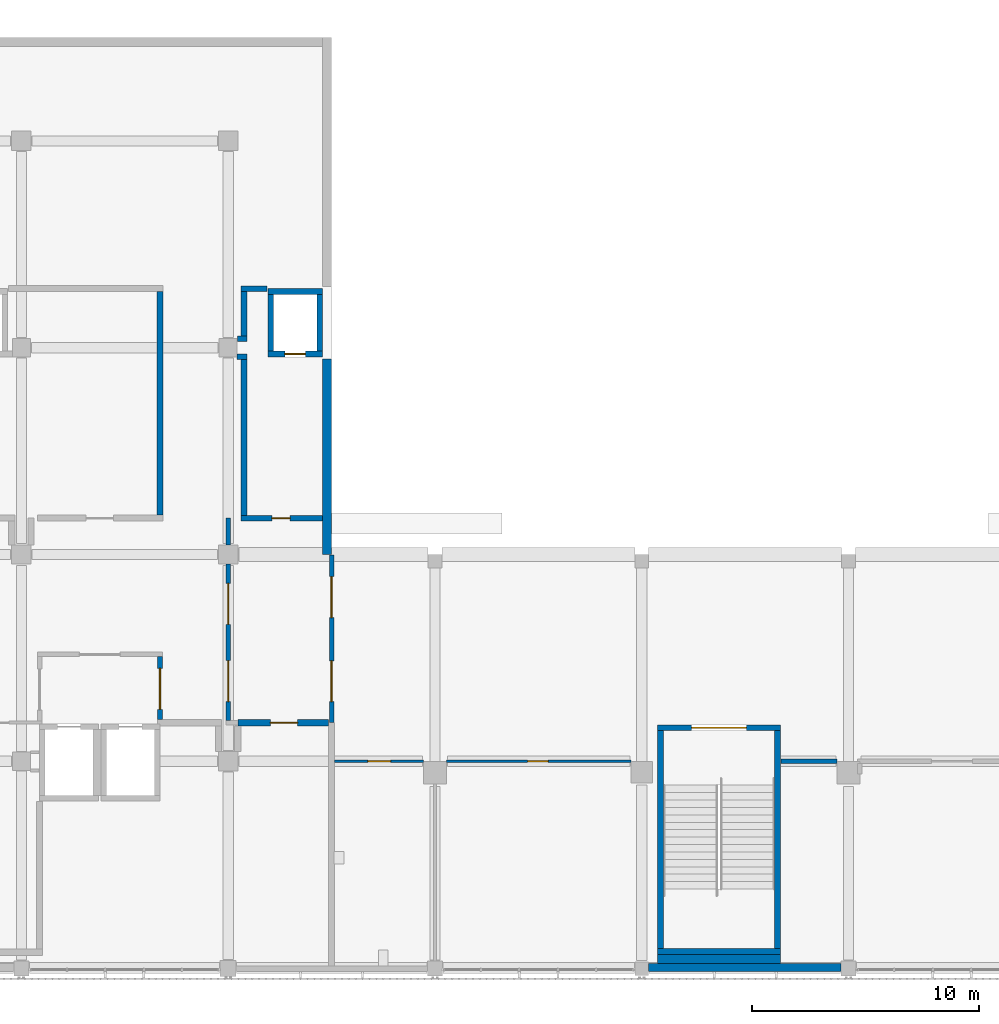
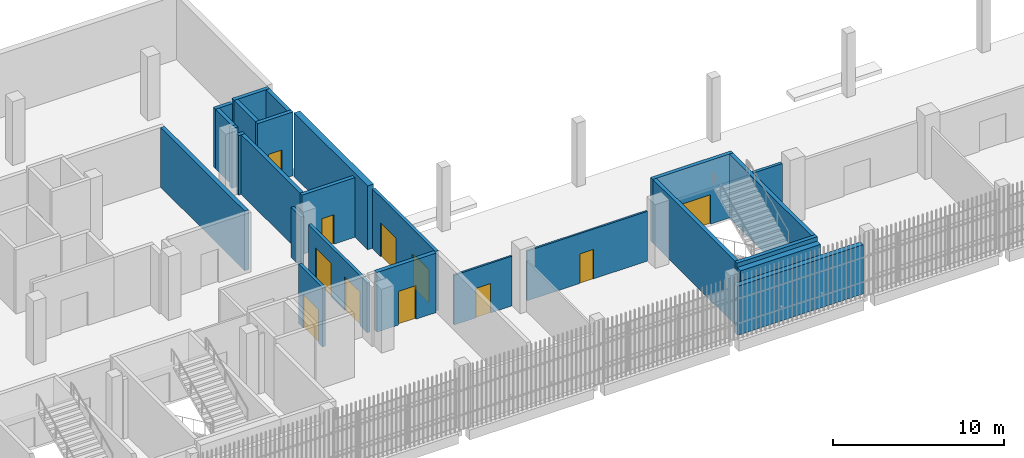
# One storey, part 75 of 126: 26 walls, 11 doors, 11 openings.
"""IFC4 building model written with IfcOpenShell, lengths in metres."""

from ifc_helpers import new_model, si_unit, direction, frame, frame_2d, origin, place, context, subcontext, project, spatial, rectangle, extrude, material, layer, layer_set, type_object, element, fill, save


model = new_model("IFC4")

# Units and contexts
model_context = context("Model", 3, precision=1e-05, world=origin(), true_north=direction((0.0, 1.0)))
body_context = subcontext(model_context, "Body", "Model", "MODEL_VIEW")
ifc_project = project(units=[si_unit("LENGTHUNIT", "METRE"), si_unit("AREAUNIT", "SQUARE_METRE"), si_unit("VOLUMEUNIT", "CUBIC_METRE"), si_unit("PLANEANGLEUNIT", "RADIAN"), si_unit("MASSUNIT", "GRAM", prefix="KILO")], contexts=[model_context])

# Site, building, storey
site_placement = place(None, origin())
site = spatial("IfcSite", under=ifc_project, at=site_placement, CompositionType="ELEMENT")
building_placement = place(site_placement, origin())
building = spatial("IfcBuilding", under=site, at=building_placement, Name="Shirokan Park Arena", CompositionType="ELEMENT")
storey_placement = place(building_placement, frame((0.0, 0.0, 6.3701171875)))
storey = spatial("IfcBuildingStorey", under=building, at=storey_placement, Name="L01", CompositionType="ELEMENT", Elevation=6.3701171875)

# Wall
ifc_material_1 = material(Name="Plaster")
ifc_layer_1 = layer(ifc_material_1, 0.014892578125, Name="Plaster")
ifc_material_2 = material(Name="Concrete blockwork", Category="masonry")
ifc_layer_2 = layer(ifc_material_2, 0.219970703125, Name="Concrete blockwork 220")
ifc_layer_3 = layer(ifc_material_1, 0.014892578125, Name="Plaster")
ifc_layer_set_1 = layer_set([ifc_layer_1, ifc_layer_2, ifc_layer_3], Name="Plaster + Concrete blockwork 220")
wall_type_1 = type_object("IfcWallType", Name="Compartment wall 250", PredefinedType="SOLIDWALL", material=ifc_layer_set_1)
wall_1_placement = place(storey_placement, frame((36.800048828125, 26.89990234375, 0.0), z_axis=(0.0, 0.0, 1.0), x_axis=(1.0, 0.0, 0.0)))
element("IfcWall", 1, at=wall_1_placement, inside=storey, type_object=wall_type_1, Name="Compartment wall 250 L01", PredefinedType="SOLIDWALL", context=body_context, shape_type="SweptSolid", body=[
    extrude(rectangle(XDim=0.425048828125, YDim=0.25, at=frame_2d((0.21240234375, 0.0))), origin(), (0.0, 0.0, 1.0), 4.25),
])

# Wall, opening, door
wall_2_placement = place(storey_placement, frame((36.97509765625, 19.800048828125, 0.0), z_axis=(0.0, 0.0, 1.0), x_axis=(1.0, 0.0, 0.0)))
wall_2 = element("IfcWall", 2, at=wall_2_placement, inside=storey, type_object=wall_type_1, Name="Compartment wall 250 L01", PredefinedType="SOLIDWALL", context=body_context, shape_type="SweptSolid", body=[
    extrude(rectangle(XDim=3.574951171875, YDim=0.25, at=frame_2d((1.78759765625, 0.0))), origin(), (0.0, 0.0, 1.0), 4.25),
])
opening_1_placement = place(wall_2_placement, frame((1.35009765625, 0.0, 0.0)))
opening_1 = element("IfcOpeningElement", 3, at=opening_1_placement, cuts=wall_2, Name="Opening D-1003", PredefinedType="OPENING", context=body_context, shape_type="SweptSolid", body=[
    extrude(rectangle(XDim=0.800048828125, YDim=2.10009765625, at=frame_2d((0.39990234375, 1.050048828125))), frame((0.0, 0.135009765625, 0.0), z_axis=(0.0, -1.0, 0.0), x_axis=(1.0, 0.0, 0.0)), (0.0, 0.0, 1.0), 0.27001953125),
])
ifc_material_3 = material(Name="Timber door set, fire resisting", Category="wood")
door_type_1 = type_object("IfcDoorType", Name="Cleaner store door 800 x 2100", OperationType="SINGLE_SWING_LEFT", PredefinedType="DOOR", material=ifc_material_3)
door_1_placement = place(opening_1_placement, origin())
door_1 = element("IfcDoor", 4, at=door_1_placement, inside=storey, type_object=door_type_1, Name="Door to Cleaner's Store 1.19 D-1003", OperationType="SINGLE_SWING_RIGHT", OverallHeight=2.10009765625, OverallWidth=0.800048828125, PredefinedType="DOOR", context=body_context, shape_type="SweptSolid", body=[
    extrude(rectangle(XDim=0.800048828125, YDim=2.10009765625, at=frame_2d((0.39990234375, 1.050048828125))), frame((0.0, 0.02490234375, 0.0), z_axis=(0.0, -1.0, 0.0), x_axis=(1.0, 0.0, 0.0)), (0.0, 0.0, 1.0), 0.050048828125),
])
fill(opening_1, door_1)

# Walls
wall_3_placement = place(storey_placement, frame((36.97509765625, 29.89990234375, 0.0), z_axis=(0.0, 0.0, 1.0), x_axis=(1.0, 0.0, 0.0)))
element("IfcWall", 5, at=wall_3_placement, inside=storey, type_object=wall_type_1, Name="Compartment wall 250 L01", PredefinedType="SOLIDWALL", context=body_context, shape_type="SweptSolid", body=[
    extrude(rectangle(XDim=1.14501953125, YDim=0.25, at=frame_2d((0.572509765625, 0.0))), origin(), (0.0, 0.0, 1.0), 4.25),
])
wall_4_placement = place(storey_placement, frame((37.10009765625, 26.77490234375, 0.0), z_axis=(0.0, 0.0, 1.0), x_axis=(0.0, -1.0, 0.0)))
element("IfcWall", 6, at=wall_4_placement, inside=storey, type_object=wall_type_1, Name="Compartment wall 250 L01", PredefinedType="SOLIDWALL", context=body_context, shape_type="SweptSolid", body=[
    extrude(rectangle(XDim=6.849853515625, YDim=0.25, at=frame_2d((3.4248046875, 0.0))), origin(), (0.0, 0.0, 1.0), 4.25),
])
wall_5_placement = place(storey_placement, frame((37.10009765625, 29.77490234375, 0.0), z_axis=(0.0, 0.0, 1.0), x_axis=(0.0, -1.0, 0.0)))
element("IfcWall", 7, at=wall_5_placement, inside=storey, type_object=wall_type_1, Name="Compartment wall 250 L01", PredefinedType="SOLIDWALL", context=body_context, shape_type="SweptSolid", body=[
    extrude(rectangle(XDim=1.949951171875, YDim=0.25, at=frame_2d((0.97509765625, 0.0))), origin(), (0.0, 0.0, 1.0), 4.25),
])
wall_6_placement = place(storey_placement, frame((37.22509765625, 27.699951171875, 0.0), z_axis=(0.0, 0.0, 1.0), x_axis=(-1.0, 0.0, 0.0)))
element("IfcWall", 8, at=wall_6_placement, inside=storey, type_object=wall_type_1, Name="Compartment wall 250 L01", PredefinedType="SOLIDWALL", context=body_context, shape_type="SweptSolid", body=[
    extrude(rectangle(XDim=0.425048828125, YDim=0.25, at=frame_2d((0.21240234375, 0.0))), origin(), (0.0, 0.0, 1.0), 4.25),
])

# Wall, opening, door
ifc_material_4 = material(Name="Gypsum board")
ifc_layer_4 = layer(ifc_material_4, 0.02490234375, Name="Gypsum board, two layers")
ifc_material_5 = material(Name="Mineral wool insulation")
ifc_layer_5 = layer(ifc_material_5, 0.14990234375, Name="Mineral wool insulation")
ifc_layer_6 = layer(ifc_material_4, 0.02490234375, Name="Gypsum board, two layers")
ifc_layer_set_2 = layer_set([ifc_layer_4, ifc_layer_5, ifc_layer_6], Name="Gypsum board, two layers + Mineral wool insulation")
wall_type_2 = type_object("IfcWallType", Name="Corridor wall 200", PredefinedType="PARTITIONING", material=ifc_layer_set_2)
wall_7_placement = place(storey_placement, frame((33.39990234375, 10.9375, 0.0), z_axis=(0.0, 0.0, 1.0), x_axis=(0.0, 1.0, 0.0)))
wall_7 = element("IfcWall", 9, at=wall_7_placement, inside=storey, type_object=wall_type_2, Name="Corridor wall 200 L01", PredefinedType="PARTITIONING", context=body_context, shape_type="SweptSolid", body=[
    extrude(rectangle(XDim=2.762451171875, YDim=0.199951171875, at=frame_2d((1.38134765625, 0.0))), origin(), (0.0, 0.0, 1.0), 4.25),
])
opening_2_placement = place(wall_7_placement, frame((0.449951171875, 0.0, 0.0)))
opening_2 = element("IfcOpeningElement", 10, at=opening_2_placement, cuts=wall_7, Name="Opening D-1059", PredefinedType="OPENING", context=body_context, shape_type="SweptSolid", body=[
    extrude(rectangle(XDim=1.800048828125, YDim=2.39990234375, at=frame_2d((0.89990234375, 1.199951171875))), frame((0.0, 0.10986328125, 0.0), z_axis=(0.0, -1.0, 0.0), x_axis=(1.0, 0.0, 0.0)), (0.0, 0.0, 1.0), 0.219970703125),
])
ifc_material_6 = material(Name="Glazed steel door set, fire resisting", Category="steel")
door_type_2 = type_object("IfcDoorType", Name="Lift lobby door 1800 x 2400", OperationType="DOUBLE_DOOR_SINGLE_SWING", PredefinedType="DOOR", material=ifc_material_6)
door_2_placement = place(opening_2_placement, origin())
door_2 = element("IfcDoor", 11, at=door_2_placement, inside=storey, type_object=door_type_2, Name="Door between Stair Lobby 1.1.2 and Lift Lobby 1.1 D-1059", OperationType="DOUBLE_DOOR_SINGLE_SWING", OverallHeight=2.39990234375, OverallWidth=1.800048828125, PredefinedType="DOOR", context=body_context, shape_type="SweptSolid", body=[
    extrude(rectangle(XDim=1.800048828125, YDim=2.39990234375, at=frame_2d((0.89990234375, 1.199951171875))), frame((0.0, 0.02490234375, 0.0), z_axis=(0.0, -1.0, 0.0), x_axis=(1.0, 0.0, 0.0)), (0.0, 0.0, 1.0), 0.050048828125),
])
fill(opening_2, door_2)

# Wall, openings, doors
wall_8_placement = place(storey_placement, frame((36.39990234375, 17.77490234375, 0.0), z_axis=(0.0, 0.0, 1.0), x_axis=(0.0, -1.0, 0.0)))
wall_8 = element("IfcWall", 12, at=wall_8_placement, inside=storey, type_object=wall_type_2, Name="Corridor wall 200 L01", PredefinedType="PARTITIONING", context=body_context, shape_type="SweptSolid", body=[
    extrude(rectangle(XDim=6.875, YDim=0.199951171875, at=frame_2d((3.4375, 0.0))), origin(), (0.0, 0.0, 1.0), 3.5498046875),
])
opening_3_placement = place(wall_8_placement, frame((0.85009765625, 0.0, 0.0)))
opening_3 = element("IfcOpeningElement", 13, at=opening_3_placement, cuts=wall_8, Name="Opening D-1055", PredefinedType="OPENING", context=body_context, shape_type="SweptSolid", body=[
    extrude(rectangle(XDim=1.800048828125, YDim=2.39990234375, at=frame_2d((0.89990234375, 1.199951171875))), frame((0.0, 0.10986328125, 0.0), z_axis=(0.0, -1.0, 0.0), x_axis=(1.0, 0.0, 0.0)), (0.0, 0.0, 1.0), 0.219970703125),
])
opening_4_placement = place(wall_8_placement, frame((4.25, 0.0, 0.0)))
opening_4 = element("IfcOpeningElement", 14, at=opening_4_placement, cuts=wall_8, Name="Opening D-1056", PredefinedType="OPENING", context=body_context, shape_type="SweptSolid", body=[
    extrude(rectangle(XDim=1.800048828125, YDim=2.39990234375, at=frame_2d((0.89990234375, 1.199951171875))), frame((0.0, 0.10986328125, 0.0), z_axis=(0.0, -1.0, 0.0), x_axis=(1.0, 0.0, 0.0)), (0.0, 0.0, 1.0), 0.219970703125),
])
door_3_placement = place(opening_3_placement, origin())
door_3 = element("IfcDoor", 15, at=door_3_placement, inside=storey, type_object=door_type_2, Name="Door between Stair Lobby 1.1.2 and Food Court 1.1.3 D-1055", OperationType="DOUBLE_DOOR_SINGLE_SWING", OverallHeight=2.39990234375, OverallWidth=1.800048828125, PredefinedType="DOOR", context=body_context, shape_type="SweptSolid", body=[
    extrude(rectangle(XDim=1.800048828125, YDim=2.39990234375, at=frame_2d((0.89990234375, 1.199951171875))), frame((0.0, 0.02490234375, 0.0), z_axis=(0.0, -1.0, 0.0), x_axis=(1.0, 0.0, 0.0)), (0.0, 0.0, 1.0), 0.050048828125),
])
fill(opening_3, door_3)
door_4_placement = place(opening_4_placement, origin())
door_4 = element("IfcDoor", 16, at=door_4_placement, inside=storey, type_object=door_type_2, Name="Door between Stair Lobby 1.1.2 and Food Court 1.1.3 D-1056", OperationType="DOUBLE_DOOR_SINGLE_SWING", OverallHeight=2.39990234375, OverallWidth=1.800048828125, PredefinedType="DOOR", context=body_context, shape_type="SweptSolid", body=[
    extrude(rectangle(XDim=1.800048828125, YDim=2.39990234375, at=frame_2d((0.89990234375, 1.199951171875))), frame((0.0, 0.02490234375, 0.0), z_axis=(0.0, -1.0, 0.0), x_axis=(1.0, 0.0, 0.0)), (0.0, 0.0, 1.0), 0.050048828125),
])
fill(opening_4, door_4)

# Wall
wall_9_placement = place(storey_placement, frame((36.39990234375, 19.800048828125, 0.0), z_axis=(0.0, 0.0, 1.0), x_axis=(0.0, -1.0, 0.0)))
element("IfcWall", 17, at=wall_9_placement, inside=storey, type_object=wall_type_2, Name="Corridor wall 200 L01", PredefinedType="PARTITIONING", context=body_context, shape_type="SweptSolid", body=[
    extrude(rectangle(XDim=1.175048828125, YDim=0.199951171875, at=frame_2d((0.58740234375, 0.0))), origin(), (0.0, 0.0, 1.0), 3.5498046875),
])

# Wall, openings, doors
wall_10_placement = place(storey_placement, frame((40.949951171875, 18.169921875, 0.0), z_axis=(0.0, 0.0, 1.0), x_axis=(0.0, -1.0, 0.0)))
wall_10 = element("IfcWall", 18, at=wall_10_placement, inside=storey, type_object=wall_type_2, Name="Corridor wall 200 L01", PredefinedType="PARTITIONING", context=body_context, shape_type="SweptSolid", body=[
    extrude(rectangle(XDim=7.369873046875, YDim=0.199951171875, at=frame_2d((3.68505859375, 0.0))), origin(), (0.0, 0.0, 1.0), 4.25),
])
opening_5_placement = place(wall_10_placement, frame((0.949951171875, 0.0, 0.0)))
opening_5 = element("IfcOpeningElement", 19, at=opening_5_placement, cuts=wall_10, Name="Opening D-1061", PredefinedType="OPENING", context=body_context, shape_type="SweptSolid", body=[
    extrude(rectangle(XDim=1.800048828125, YDim=2.39990234375, at=frame_2d((0.89990234375, 1.199951171875))), frame((0.0, 0.10986328125, 0.0), z_axis=(0.0, -1.0, 0.0), x_axis=(1.0, 0.0, 0.0)), (0.0, 0.0, 1.0), 0.219970703125),
])
opening_6_placement = place(wall_10_placement, frame((4.64990234375, 0.0, 0.0)))
opening_6 = element("IfcOpeningElement", 20, at=opening_6_placement, cuts=wall_10, Name="Opening D-1062", PredefinedType="OPENING", context=body_context, shape_type="SweptSolid", body=[
    extrude(rectangle(XDim=1.800048828125, YDim=2.39990234375, at=frame_2d((0.89990234375, 1.199951171875))), frame((0.0, 0.10986328125, 0.0), z_axis=(0.0, -1.0, 0.0), x_axis=(1.0, 0.0, 0.0)), (0.0, 0.0, 1.0), 0.219970703125),
])
door_5_placement = place(opening_5_placement, origin())
door_5 = element("IfcDoor", 21, at=door_5_placement, inside=storey, type_object=door_type_2, Name="Door between Food Court 1.1.3 and Concourse L01 South D-1061", OperationType="DOUBLE_DOOR_SINGLE_SWING", OverallHeight=2.39990234375, OverallWidth=1.800048828125, PredefinedType="DOOR", context=body_context, shape_type="SweptSolid", body=[
    extrude(rectangle(XDim=1.800048828125, YDim=2.39990234375, at=frame_2d((0.89990234375, 1.199951171875))), frame((0.0, 0.02490234375, 0.0), z_axis=(0.0, -1.0, 0.0), x_axis=(1.0, 0.0, 0.0)), (0.0, 0.0, 1.0), 0.050048828125),
])
fill(opening_5, door_5)
door_6_placement = place(opening_6_placement, origin())
door_6 = element("IfcDoor", 22, at=door_6_placement, inside=storey, type_object=door_type_2, Name="Door between Food Court 1.1.3 and Concourse L01 South D-1062", OperationType="DOUBLE_DOOR_SINGLE_SWING", OverallHeight=2.39990234375, OverallWidth=1.800048828125, PredefinedType="DOOR", context=body_context, shape_type="SweptSolid", body=[
    extrude(rectangle(XDim=1.800048828125, YDim=2.39990234375, at=frame_2d((0.89990234375, 1.199951171875))), frame((0.0, 0.02490234375, 0.0), z_axis=(0.0, -1.0, 0.0), x_axis=(1.0, 0.0, 0.0)), (0.0, 0.0, 1.0), 0.050048828125),
])
fill(opening_6, door_6)

# Walls
wall_11_placement = place(storey_placement, frame((63.199951171875, 9.10009765625, 0.0), z_axis=(0.0, 0.0, 1.0), x_axis=(-1.0, 0.0, 0.0)))
element("IfcWall", 23, at=wall_11_placement, inside=storey, type_object=wall_type_2, Name="Corridor wall 200 L01", PredefinedType="PARTITIONING", context=body_context, shape_type="SweptSolid", body=[
    extrude(rectangle(XDim=2.469970703125, YDim=0.199951171875, at=frame_2d((1.23486328125, 0.0))), origin(), (0.0, 0.0, 1.0), 3.7998046875),
])
ifc_material_7 = material(Name="Cedar cladding")
ifc_layer_7 = layer(ifc_material_7, 0.030029296875, Name="Cedar cladding")
ifc_layer_8 = layer(ifc_material_5, 0.10009765625, Name="Mineral wool insulation")
ifc_material_8 = material(Name="Concrete C35", Category="concrete")
ifc_layer_9 = layer(ifc_material_8, 0.199951171875, Name="Concrete C35")
ifc_material_9 = material(Name="Gypsum board lining")
ifc_layer_10 = layer(ifc_material_9, 0.02001953125, Name="Gypsum board lining")
ifc_layer_set_3 = layer_set([ifc_layer_7, ifc_layer_8, ifc_layer_9, ifc_layer_10], Name="Cedar cladding + Mineral wool insulation + Concrete C35 + Gypsum board lining")
wall_type_3 = type_object("IfcWallType", Name="Insulated tower wall 350", PredefinedType="SOLIDWALL", material=ifc_layer_set_3)
wall_12_placement = place(storey_placement, frame((54.89990234375, 0.02490234375, 0.0), z_axis=(0.0, 0.0, 1.0), x_axis=(1.0, 0.0, 0.0)))
element("IfcWall", 24, at=wall_12_placement, inside=storey, type_object=wall_type_3, Name="South facade wall bay 7 L01", PredefinedType="SOLIDWALL", context=body_context, shape_type="SweptSolid", body=[
    extrude(rectangle(XDim=8.47509765625, YDim=0.35009765625, at=frame_2d((4.237548828125, 0.0))), origin(), (0.0, 0.0, 1.0), 3.5),
])
ifc_layer_11 = layer(ifc_material_1, 0.012451171875, Name="Plaster")
ifc_layer_12 = layer(ifc_material_2, 0.25, Name="Concrete blockwork 250")
ifc_layer_13 = layer(ifc_material_1, 0.012451171875, Name="Plaster")
ifc_layer_set_4 = layer_set([ifc_layer_11, ifc_layer_12, ifc_layer_13], Name="Plaster + Concrete blockwork 250")
wall_type_4 = type_object("IfcWallType", Name="Plant room wall 275", PredefinedType="SOLIDWALL", material=ifc_layer_set_4)
wall_13_placement = place(storey_placement, frame((33.39990234375, 29.762451171875, 0.0), z_axis=(0.0, 0.0, 1.0), x_axis=(0.0, -1.0, 0.0)))
element("IfcWall", 25, at=wall_13_placement, inside=storey, type_object=wall_type_4, Name="Plant room wall 275 L01", PredefinedType="SOLIDWALL", context=body_context, shape_type="SweptSolid", body=[
    extrude(rectangle(XDim=9.824951171875, YDim=0.27490234375, at=frame_2d((4.91259765625, 0.0))), origin(), (0.0, 0.0, 1.0), 4.25),
])

# Wall, opening, door
wall_14_placement = place(storey_placement, frame((40.8125, 10.800048828125, 0.0), z_axis=(0.0, 0.0, 1.0), x_axis=(-1.0, 0.0, 0.0)))
wall_14 = element("IfcWall", 26, at=wall_14_placement, inside=storey, type_object=wall_type_4, Name="Plant room wall 275 L01", PredefinedType="SOLIDWALL", context=body_context, shape_type="SweptSolid", body=[
    extrude(rectangle(XDim=3.987548828125, YDim=0.27490234375, at=frame_2d((1.99365234375, 0.0))), origin(), (0.0, 0.0, 1.0), 4.25),
])
opening_7_placement = place(wall_14_placement, frame((1.35009765625, 0.0, 0.0)))
opening_7 = element("IfcOpeningElement", 27, at=opening_7_placement, cuts=wall_14, Name="Opening D-1009", PredefinedType="OPENING", context=body_context, shape_type="SweptSolid", body=[
    extrude(rectangle(XDim=1.199951171875, YDim=2.39990234375, at=frame_2d((0.60009765625, 1.199951171875))), frame((0.0, 0.1474609375, 0.0), z_axis=(0.0, -1.0, 0.0), x_axis=(1.0, 0.0, 0.0)), (0.0, 0.0, 1.0), 0.294921875),
])
ifc_material_10 = material(Name="Louvred steel door set, fire resisting", Category="steel")
door_type_3 = type_object("IfcDoorType", Name="Plant room door 1200 x 2400", OperationType="SINGLE_SWING_LEFT", PredefinedType="DOOR", material=ifc_material_10)
door_7_placement = place(opening_7_placement, origin())
door_7 = element("IfcDoor", 28, at=door_7_placement, inside=storey, type_object=door_type_3, Name="Door to Communications Room 1.13 D-1009", OperationType="SINGLE_SWING_RIGHT", OverallHeight=2.39990234375, OverallWidth=1.199951171875, PredefinedType="DOOR", context=body_context, shape_type="SweptSolid", body=[
    extrude(rectangle(XDim=1.199951171875, YDim=2.39990234375, at=frame_2d((0.60009765625, 1.199951171875))), frame((0.0, 0.02490234375, 0.0), z_axis=(0.0, -1.0, 0.0), x_axis=(1.0, 0.0, 0.0)), (0.0, 0.0, 1.0), 0.050048828125),
])
fill(opening_7, door_7)

# Wall
ifc_layer_14 = layer(ifc_material_8, 0.39990234375)
ifc_layer_set_5 = layer_set([ifc_layer_14], Name="Concrete C35 400 mm")
wall_type_5 = type_object("IfcWallType", Name="RC flank wall 400", PredefinedType="SHEAR", material=ifc_layer_set_5)
wall_15_placement = place(storey_placement, frame((40.75, 26.808837890625, 0.0), z_axis=(0.0, 0.0, 1.0), x_axis=(0.0, -1.0, 0.0)))
element("IfcWall", 29, at=wall_15_placement, inside=storey, type_object=wall_type_5, Name="Flank wall S1 L01", PredefinedType="SHEAR", context=body_context, shape_type="SweptSolid", body=[
    extrude(rectangle(XDim=8.60888671875, YDim=0.39990234375, at=frame_2d((4.304443359375, 0.0))), origin(), (0.0, 0.0, 1.0), 4.5498046875),
])

# Wall, opening, door
ifc_material_11 = material(Name="Concrete C40/50", Category="concrete")
ifc_layer_15 = layer(ifc_material_11, 0.25)
ifc_layer_set_6 = layer_set([ifc_layer_15], Name="Concrete C40/50 250 mm")
wall_type_6 = type_object("IfcWallType", Name="RC shear wall 250", PredefinedType="SHEAR", material=ifc_layer_set_6)
wall_16_placement = place(storey_placement, frame((40.550048828125, 27.02490234375, 0.0), z_axis=(0.0, 0.0, 1.0), x_axis=(-1.0, 0.0, 0.0)))
wall_16 = element("IfcWall", 30, at=wall_16_placement, inside=storey, type_object=wall_type_6, Name="Shaft wall Services Riser 1.1 S L01", PredefinedType="SHEAR", context=body_context, shape_type="SweptSolid", body=[
    extrude(rectangle(XDim=2.400146484375, YDim=0.25, at=frame_2d((1.2001953125, 0.0))), origin(), (0.0, 0.0, 1.0), 4.5498046875),
])
opening_8_placement = place(wall_16_placement, frame((0.75, 0.0, 0.0)))
opening_8 = element("IfcOpeningElement", 31, at=opening_8_placement, cuts=wall_16, Name="Opening D-1095", PredefinedType="OPENING", context=body_context, shape_type="SweptSolid", body=[
    extrude(rectangle(XDim=0.89990234375, YDim=2.10009765625, at=frame_2d((0.449951171875, 1.050048828125))), frame((0.0, 0.135009765625, 0.0), z_axis=(0.0, -1.0, 0.0), x_axis=(1.0, 0.0, 0.0)), (0.0, 0.0, 1.0), 0.27001953125),
])
ifc_material_12 = material(Name="Steel door set, fire resisting", Category="steel")
door_type_4 = type_object("IfcDoorType", Name="Electrical riser door 900 x 2100", OperationType="SINGLE_SWING_LEFT", PredefinedType="DOOR", material=ifc_material_12)
door_8_placement = place(opening_8_placement, origin())
door_8 = element("IfcDoor", 32, at=door_8_placement, inside=storey, type_object=door_type_4, Name="Riser access door Services Riser 1.1 D-1095", OperationType="SINGLE_SWING_RIGHT", OverallHeight=2.10009765625, OverallWidth=0.89990234375, PredefinedType="DOOR", context=body_context, shape_type="SweptSolid", body=[
    extrude(rectangle(XDim=0.89990234375, YDim=2.10009765625, at=frame_2d((0.449951171875, 1.050048828125))), frame((0.0, 0.02490234375, 0.0), z_axis=(0.0, -1.0, 0.0), x_axis=(1.0, 0.0, 0.0)), (0.0, 0.0, 1.0), 0.050048828125),
])
fill(opening_8, door_8)

# Walls
wall_17_placement = place(storey_placement, frame((40.550048828125, 29.77490234375, 0.0), z_axis=(0.0, 0.0, 1.0), x_axis=(-1.0, 0.0, 0.0)))
element("IfcWall", 33, at=wall_17_placement, inside=storey, type_object=wall_type_6, Name="Shaft wall Services Riser 1.1 N L01", PredefinedType="SHEAR", context=body_context, shape_type="SweptSolid", body=[
    extrude(rectangle(XDim=2.400146484375, YDim=0.25, at=frame_2d((1.2001953125, 0.0))), origin(), (0.0, 0.0, 1.0), 4.5498046875),
])
for number, where, z_axis, x_axis, name in (
    (34, (38.27490234375, 29.64990234375, 0.0), (0.0, 0.0, 1.0), (0.0, -1.0, 0.0), "Shaft wall Services Riser 1.1 W L01"),
    (35, (40.425048828125, 29.64990234375, 0.0), (0.0, 0.0, 1.0), (0.0, -1.0, 0.0), "Shaft wall Services Riser 1.1 E L01"),
):
    element("IfcWall", number, at=place(storey_placement, frame(where, z_axis=z_axis, x_axis=x_axis)), inside=storey, type_object=wall_type_6, Name=name, PredefinedType="SHEAR", context=body_context, shape_type="SweptSolid", body=[
        extrude(rectangle(XDim=2.5, YDim=0.25, at=frame_2d((1.25, 0.0))), origin(), (0.0, 0.0, 1.0), 4.5498046875),
    ])
wall_18_placement = place(storey_placement, frame((60.699951171875, 0.72509765625, 0.0), z_axis=(0.0, 0.0, 1.0), x_axis=(-1.0, 0.0, 0.0)))
element("IfcWall", 36, at=wall_18_placement, inside=storey, type_object=wall_type_6, Name="Shaft wall Entrance Stair E1.1 S L01", PredefinedType="SHEAR", context=body_context, shape_type="SweptSolid", body=[
    extrude(rectangle(XDim=5.39990234375, YDim=0.25, at=frame_2d((2.699951171875, 0.0))), origin(), (0.0, 0.0, 1.0), 4.5498046875),
])

# Wall, opening, door
wall_19_placement = place(storey_placement, frame((60.699951171875, 10.574951171875, 0.0), z_axis=(0.0, 0.0, 1.0), x_axis=(-1.0, 0.0, 0.0)))
wall_19 = element("IfcWall", 37, at=wall_19_placement, inside=storey, type_object=wall_type_6, Name="Shaft wall Entrance Stair E1.1 N L01", PredefinedType="SHEAR", context=body_context, shape_type="SweptSolid", body=[
    extrude(rectangle(XDim=5.39990234375, YDim=0.25, at=frame_2d((2.699951171875, 0.0))), origin(), (0.0, 0.0, 1.0), 4.5498046875),
])
opening_9_placement = place(wall_19_placement, frame((1.5, 0.0, 0.0)))
opening_9 = element("IfcOpeningElement", 38, at=opening_9_placement, cuts=wall_19, Name="Opening D-1126", PredefinedType="OPENING", context=body_context, shape_type="SweptSolid", body=[
    extrude(rectangle(XDim=2.39990234375, YDim=2.10009765625, at=frame_2d((1.199951171875, 1.050048828125))), frame((0.0, 0.135009765625, 0.0), z_axis=(0.0, -1.0, 0.0), x_axis=(1.0, 0.0, 0.0)), (0.0, 0.0, 1.0), 0.27001953125),
])
door_type_5 = type_object("IfcDoorType", Name="Stair door 2400 x 2100", OperationType="DOUBLE_DOOR_SINGLE_SWING", PredefinedType="DOOR", material=ifc_material_12)
door_9_placement = place(opening_9_placement, origin())
door_9 = element("IfcDoor", 39, at=door_9_placement, inside=storey, type_object=door_type_5, Name="Stair door Entrance Stair E1.1 D-1126", OperationType="DOUBLE_DOOR_SINGLE_SWING", OverallHeight=2.10009765625, OverallWidth=2.39990234375, PredefinedType="DOOR", context=body_context, shape_type="SweptSolid", body=[
    extrude(rectangle(XDim=2.39990234375, YDim=2.10009765625, at=frame_2d((1.199951171875, 1.050048828125))), frame((0.0, 0.02490234375, 0.0), z_axis=(0.0, -1.0, 0.0), x_axis=(1.0, 0.0, 0.0)), (0.0, 0.0, 1.0), 0.050048828125),
])
fill(opening_9, door_9)

# Walls
for number, where, z_axis, x_axis, name in (
    (40, (55.425048828125, 10.449951171875, 0.0), (0.0, 0.0, 1.0), (0.0, -1.0, 0.0), "Shaft wall Entrance Stair E1.1 W L01"),
    (41, (60.574951171875, 10.449951171875, 0.0), (0.0, 0.0, 1.0), (0.0, -1.0, 0.0), "Shaft wall Entrance Stair E1.1 E L01"),
):
    element("IfcWall", number, at=place(storey_placement, frame(where, z_axis=z_axis, x_axis=x_axis)), inside=storey, type_object=wall_type_6, Name=name, PredefinedType="SHEAR", context=body_context, shape_type="SweptSolid", body=[
        extrude(rectangle(XDim=9.599853515625, YDim=0.25, at=frame_2d((4.7998046875, 0.0))), origin(), (0.0, 0.0, 1.0), 4.5498046875),
    ])
ifc_layer_16 = layer(ifc_material_8, 0.39990234375)
ifc_layer_set_7 = layer_set([ifc_layer_16], Name="Concrete C35 400 mm")
wall_type_7 = type_object("IfcWallType", Name="Shaft infill wall 400", PredefinedType="SOLIDWALL", material=ifc_layer_set_7)
wall_20_placement = place(storey_placement, frame((55.300048828125, 0.39990234375, 0.0), z_axis=(0.0, 0.0, 1.0), x_axis=(1.0, 0.0, 0.0)))
element("IfcWall", 42, at=wall_20_placement, inside=storey, type_object=wall_type_7, Name="Shaft infill wall L01", PredefinedType="SOLIDWALL", context=body_context, shape_type="SweptSolid", body=[
    extrude(rectangle(XDim=5.39990234375, YDim=0.39990234375, at=frame_2d((2.699951171875, 0.0))), origin(), (0.0, 0.0, 1.0), 4.25),
])

# Wall, opening, door
ifc_material_13 = material(Name="Ceramic tile")
ifc_layer_17 = layer(ifc_material_13, 0.010009765625, Name="Ceramic tile")
ifc_material_14 = material(Name="Cement board")
ifc_layer_18 = layer(ifc_material_14, 0.012451171875, Name="Cement board")
ifc_layer_19 = layer(ifc_material_5, 0.080078125, Name="Mineral wool insulation")
ifc_layer_20 = layer(ifc_material_14, 0.012451171875, Name="Cement board")
ifc_layer_21 = layer(ifc_material_13, 0.010009765625, Name="Ceramic tile")
ifc_layer_set_8 = layer_set([ifc_layer_17, ifc_layer_18, ifc_layer_19, ifc_layer_20, ifc_layer_21], Name="Ceramic tile + Cement board + Mineral wool insulation")
wall_type_8 = type_object("IfcWallType", Name="Wet-area wall 125", PredefinedType="PARTITIONING", material=ifc_layer_set_8)
wall_21_placement = place(storey_placement, frame((45.0, 9.10009765625, 0.0), z_axis=(0.0, 0.0, 1.0), x_axis=(-1.0, 0.0, 0.0)))
wall_21 = element("IfcWall", 43, at=wall_21_placement, inside=storey, type_object=wall_type_8, Name="Wet-area wall 125 L01", PredefinedType="PARTITIONING", context=body_context, shape_type="SweptSolid", body=[
    extrude(rectangle(XDim=3.91259765625, YDim=0.125, at=frame_2d((1.956298828125, 0.0))), origin(), (0.0, 0.0, 1.0), 3.5498046875),
])
opening_10_placement = place(wall_21_placement, frame((1.449951171875, 0.0, 0.0)))
opening_10 = element("IfcOpeningElement", 44, at=opening_10_placement, cuts=wall_21, Name="Opening D-1037", PredefinedType="OPENING", context=body_context, shape_type="SweptSolid", body=[
    extrude(rectangle(XDim=1.0, YDim=2.10009765625, at=frame_2d((0.5, 1.050048828125))), frame((0.0, 0.072509765625, 0.0), z_axis=(0.0, -1.0, 0.0), x_axis=(1.0, 0.0, 0.0)), (0.0, 0.0, 1.0), 0.14501953125),
])
door_type_6 = type_object("IfcDoorType", Name="Accessible WC door 1000 x 2100", OperationType="SINGLE_SWING_RIGHT", PredefinedType="DOOR", material=ifc_material_3)
door_10_placement = place(opening_10_placement, origin())
door_10 = element("IfcDoor", 45, at=door_10_placement, inside=storey, type_object=door_type_6, Name="Door to Accessible WC 1.11 D-1037", OperationType="SINGLE_SWING_RIGHT", OverallHeight=2.10009765625, OverallWidth=1.0, PredefinedType="DOOR", context=body_context, shape_type="SweptSolid", body=[
    extrude(rectangle(XDim=1.0, YDim=2.10009765625, at=frame_2d((0.5, 1.050048828125))), frame((0.0, 0.02490234375, 0.0), z_axis=(0.0, -1.0, 0.0), x_axis=(1.0, 0.0, 0.0)), (0.0, 0.0, 1.0), 0.050048828125),
])
fill(opening_10, door_10)

wall_22_placement = place(storey_placement, frame((54.125, 9.10009765625, 0.0), z_axis=(0.0, 0.0, 1.0), x_axis=(-1.0, 0.0, 0.0)))
wall_22 = element("IfcWall", 46, at=wall_22_placement, inside=storey, type_object=wall_type_8, Name="Wet-area wall 125 L01", PredefinedType="PARTITIONING", context=body_context, shape_type="SweptSolid", body=[
    extrude(rectangle(XDim=8.125, YDim=0.125, at=frame_2d((4.0625, 0.0))), origin(), (0.0, 0.0, 1.0), 3.5498046875),
])
opening_11_placement = place(wall_22_placement, frame((3.64990234375, 0.0, 0.0)))
opening_11 = element("IfcOpeningElement", 47, at=opening_11_placement, cuts=wall_22, Name="Opening D-1038", PredefinedType="OPENING", context=body_context, shape_type="SweptSolid", body=[
    extrude(rectangle(XDim=0.89990234375, YDim=2.10009765625, at=frame_2d((0.449951171875, 1.050048828125))), frame((0.0, 0.072509765625, 0.0), z_axis=(0.0, -1.0, 0.0), x_axis=(1.0, 0.0, 0.0)), (0.0, 0.0, 1.0), 0.14501953125),
])
door_type_7 = type_object("IfcDoorType", Name="Door 900 x 2100", OperationType="SINGLE_SWING_LEFT", PredefinedType="DOOR", material=ifc_material_3)
door_11_placement = place(opening_11_placement, origin())
door_11 = element("IfcDoor", 48, at=door_11_placement, inside=storey, type_object=door_type_7, Name="Door to Men's WC 1.12 D-1038", OperationType="SINGLE_SWING_LEFT", OverallHeight=2.10009765625, OverallWidth=0.89990234375, PredefinedType="DOOR", context=body_context, shape_type="SweptSolid", body=[
    extrude(rectangle(XDim=0.89990234375, YDim=2.10009765625, at=frame_2d((0.449951171875, 1.050048828125))), frame((0.0, 0.02490234375, 0.0), z_axis=(0.0, -1.0, 0.0), x_axis=(1.0, 0.0, 0.0)), (0.0, 0.0, 1.0), 0.050048828125),
])
fill(opening_11, door_11)

save(model, "model.ifc")
